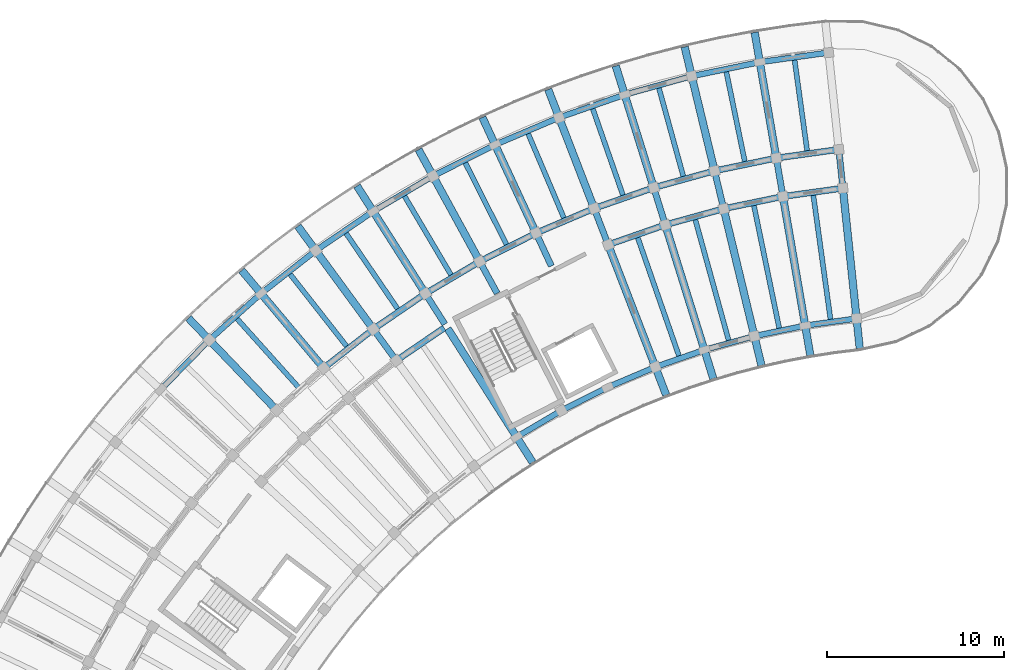
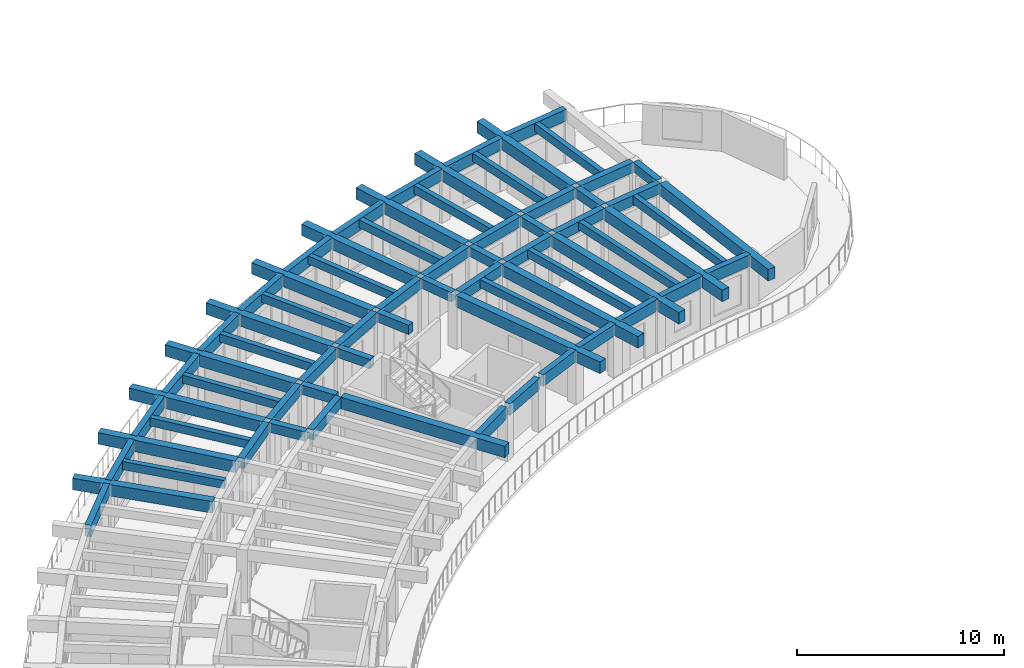
# One storey, part 10 of 69: 71 beams.
"""IFC4 building model written with IfcOpenShell, lengths in metres."""

from ifc_helpers import new_model, si_unit, direction, frame, origin, origin_2d, place, context, subcontext, project, spatial, rectangle, extrude, material, material_profile, profile_set, type_object, element, save


model = new_model("IFC4")

# Units and contexts
model_context = context("Model", 3, precision=1e-05, world=origin(), true_north=direction((0.0, 1.0)))
body_context = subcontext(model_context, "Body", "Model", "MODEL_VIEW")
ifc_project = project(units=[si_unit("LENGTHUNIT", "METRE"), si_unit("AREAUNIT", "SQUARE_METRE"), si_unit("VOLUMEUNIT", "CUBIC_METRE"), si_unit("PLANEANGLEUNIT", "RADIAN"), si_unit("MASSUNIT", "GRAM", prefix="KILO")], contexts=[model_context])

# Site, building, storey
site_placement = place(None, origin())
site = spatial("IfcSite", under=ifc_project, at=site_placement, CompositionType="ELEMENT")
building_placement = place(site_placement, origin())
building = spatial("IfcBuilding", under=site, at=building_placement, Name="Tanwirah Colonnade Gardens", CompositionType="ELEMENT")
storey_placement = place(building_placement, frame((0.0, 0.0, 15.56005859375)))
storey = spatial("IfcBuildingStorey", under=building, at=storey_placement, Name="L04", CompositionType="ELEMENT", Elevation=15.56005859375)

# Beams
ifc_material_1 = material(Name="Precast concrete C40/50", Category="concrete")
ifc_material_profile_1 = material_profile(ifc_material_1, rectangle(XDim=0.35009765625, YDim=0.550048828125, at=origin_2d()), Name="PC-BM 350x550")
ifc_profile_set_1 = profile_set([ifc_material_profile_1], Name="Precast concrete C40/50")
beam_type_1 = type_object("IfcBeamType", Name="BM-PC350A", PredefinedType="BEAM", material=ifc_profile_set_1)
for number, where, z_axis, x_axis, name in (
    (1, (59.564453125, 111.9150390625, 2.8349609375), (-0.104464057197, 0.994528662611, 0.0), (-0.994528662611, -0.104464057197, 0.0), "Block A L04 Corridor Tie Beam 0"),
    (2, (56.1689453125, 111.444580078125, 2.8349609375), (-0.169855285462, 0.985469016256, 0.0), (-0.985469016256, -0.169855285462, 0.0), "Block A L04 Corridor Tie Beam 1"),
    (3, (52.811767578125, 110.75146484375, 2.8349609375), (-0.234364199778, 0.972148868159, 0.0), (-0.972148868159, -0.234364199778, 0.0), "Block A L04 Corridor Tie Beam 2"),
):
    element("IfcBeam", number, at=place(storey_placement, frame(where, z_axis=z_axis, x_axis=x_axis)), inside=storey, type_object=beam_type_1, Name=name, PredefinedType="BEAM", context=body_context, shape_type="SweptSolid", body=[
        extrude(rectangle(XDim=0.35009765625, YDim=0.550048828125, at=origin_2d()), origin(), (0.0, 0.0, 1.0), 1.900146484375),
    ])
for number, where, z_axis, x_axis, name in (
    (4, (49.507568359375, 109.838623046875, 2.8349609375), (-0.297857918398, 0.954610213882, 0.0), (-0.954610213882, -0.297857918398, 0.0), "Block A L04 Corridor Tie Beam 3"),
    (5, (46.270751953125, 108.7099609375, 2.8349609375), (-0.360175656082, 0.932884503444, 0.0), (-0.932884503444, -0.360175656082, 0.0), "Block A L04 Corridor Tie Beam 4"),
    (6, (43.115234375, 107.37060546875, 2.8349609375), (-0.420858322681, 0.90712638162, 0.0), (-0.90712638162, -0.420858322681, 0.0), "Block A L04 Corridor Tie Beam 5"),
    (7, (40.054931640625, 105.826171875, 2.8349609375), (-0.479707235792, 0.877428611301, 0.0), (-0.877428611301, -0.479707235792, 0.0), "Block A L04 Corridor Tie Beam 6"),
    (8, (37.10302734375, 104.08349609375, 2.8349609375), (-0.536509579595, 0.843894229749, 0.0), (-0.843894229749, -0.536509579595, 0.0), "Block A L04 Corridor Tie Beam 7"),
):
    element("IfcBeam", number, at=place(storey_placement, frame(where, z_axis=z_axis, x_axis=x_axis)), inside=storey, type_object=beam_type_1, Name=name, PredefinedType="BEAM", context=body_context, shape_type="SweptSolid", body=[
        extrude(rectangle(XDim=0.35009765625, YDim=0.550048828125, at=origin_2d()), origin(), (0.0, 0.0, 1.0), 1.89990234375),
    ])
beam_1_placement = place(storey_placement, frame((34.272216796875, 102.14990234375, 2.8349609375), z_axis=(-0.590895676149, 0.806747977939, 0.0), x_axis=(-0.806747977939, -0.590895676149, 0.0)))
element("IfcBeam", 9, at=beam_1_placement, inside=storey, type_object=beam_type_1, Name="Block A L04 Corridor Tie Beam 8", PredefinedType="BEAM", context=body_context, shape_type="SweptSolid", body=[
    extrude(rectangle(XDim=0.35009765625, YDim=0.550048828125, at=origin_2d()), origin(), (0.0, 0.0, 1.0), 1.900146484375),
])
ifc_material_profile_2 = material_profile(ifc_material_1, rectangle(XDim=0.35009765625, YDim=0.60009765625, at=origin_2d()), Name="PC-BM 350x600")
ifc_profile_set_2 = profile_set([ifc_material_profile_2], Name="Precast concrete C40/50")
beam_type_2 = type_object("IfcBeamType", Name="BM-PC350B", PredefinedType="BEAM", material=ifc_profile_set_2)
beam_2_placement = place(storey_placement, frame((59.431640625, 111.745361328125, 2.81005859375), z_axis=(-0.990535787723, -0.137254702069, 0.0), x_axis=(0.137254702069, -0.990535787723, 0.0)))
element("IfcBeam", 10, at=beam_2_placement, inside=storey, type_object=beam_type_2, Name="Block A L04 Circumferential Beam 0-R1", PredefinedType="BEAM", context=body_context, shape_type="SweptSolid", body=[
    extrude(rectangle(XDim=0.35009765625, YDim=0.60009765625, at=origin_2d()), origin(), (0.0, 0.0, 1.0), 3.1181640625),
])
beam_3_placement = place(storey_placement, frame((59.20166015625, 113.933349609375, 2.81005859375), z_axis=(-0.990530465749, -0.13729310406, 0.0), x_axis=(0.13729310406, -0.990530465749, 0.0)))
element("IfcBeam", 11, at=beam_3_placement, inside=storey, type_object=beam_type_2, Name="Block A L04 Circumferential Beam 0-R2", PredefinedType="BEAM", context=body_context, shape_type="SweptSolid", body=[
    extrude(rectangle(XDim=0.35009765625, YDim=0.60009765625, at=origin_2d()), origin(), (0.0, 0.0, 1.0), 3.26318359375),
])
beam_4_placement = place(storey_placement, frame((56.047607421875, 111.2666015625, 2.81005859375), z_axis=(-0.979335880607, -0.202240532428, 0.0), x_axis=(0.202240532428, -0.979335880607, 0.0)))
element("IfcBeam", 12, at=beam_4_placement, inside=storey, type_object=beam_type_2, Name="Block A L04 Circumferential Beam 1-R1", PredefinedType="BEAM", context=body_context, shape_type="SweptSolid", body=[
    extrude(rectangle(XDim=0.35009765625, YDim=0.60009765625, at=origin_2d()), origin(), (0.0, 0.0, 1.0), 3.1181640625),
])
beam_5_placement = place(storey_placement, frame((55.673828125, 113.4345703125, 2.81005859375), z_axis=(-0.979335599813, -0.202241892146, 0.0), x_axis=(0.202241892146, -0.979335599813, 0.0)))
element("IfcBeam", 13, at=beam_5_placement, inside=storey, type_object=beam_type_2, Name="Block A L04 Circumferential Beam 1-R2", PredefinedType="BEAM", context=body_context, shape_type="SweptSolid", body=[
    extrude(rectangle(XDim=0.35009765625, YDim=0.60009765625, at=origin_2d()), origin(), (0.0, 0.0, 1.0), 3.262939453125),
])
beam_6_placement = place(storey_placement, frame((52.702392578125, 110.565673828125, 2.81005859375), z_axis=(-0.963894965188, -0.266282737114, 0.0), x_axis=(0.266282737114, -0.963894965188, 0.0)))
element("IfcBeam", 14, at=beam_6_placement, inside=storey, type_object=beam_type_2, Name="Block A L04 Circumferential Beam 2-R1", PredefinedType="BEAM", context=body_context, shape_type="SweptSolid", body=[
    extrude(rectangle(XDim=0.35009765625, YDim=0.60009765625, at=origin_2d()), origin(), (0.0, 0.0, 1.0), 3.1181640625),
])
beam_7_placement = place(storey_placement, frame((52.186767578125, 112.704345703125, 2.81005859375), z_axis=(-0.9638953302, -0.266281415833, 0.0), x_axis=(0.266281415833, -0.9638953302, 0.0)))
element("IfcBeam", 15, at=beam_7_placement, inside=storey, type_object=beam_type_2, Name="Block A L04 Circumferential Beam 2-R2", PredefinedType="BEAM", context=body_context, shape_type="SweptSolid", body=[
    extrude(rectangle(XDim=0.35009765625, YDim=0.60009765625, at=origin_2d()), origin(), (0.0, 0.0, 1.0), 3.26318359375),
])
beam_8_placement = place(storey_placement, frame((49.41064453125, 109.64599609375, 2.81005859375), z_axis=(-0.944248304077, -0.329234172358, 0.0), x_axis=(0.329234172358, -0.944248304077, 0.0)))
element("IfcBeam", 16, at=beam_8_placement, inside=storey, type_object=beam_type_2, Name="Block A L04 Circumferential Beam 3-R1", PredefinedType="BEAM", context=body_context, shape_type="SweptSolid", body=[
    extrude(rectangle(XDim=0.35009765625, YDim=0.60009765625, at=origin_2d()), origin(), (0.0, 0.0, 1.0), 3.1181640625),
])
for number, where, z_axis, x_axis, name in (
    (17, (48.755126953125, 111.74609375, 2.81005859375), (-0.944231021702, -0.329283734272, 0.0), (0.329283734272, -0.944231021702, 0.0), "Block A L04 Circumferential Beam 3-R2"),
    (18, (45.394287109375, 110.563720703125, 2.81005859375), (-0.920513294115, -0.390711242938, 0.0), (0.390711242938, -0.920513294115, 0.0), "Block A L04 Circumferential Beam 4-R2"),
):
    element("IfcBeam", number, at=place(storey_placement, frame(where, z_axis=z_axis, x_axis=x_axis)), inside=storey, type_object=beam_type_2, Name=name, PredefinedType="BEAM", context=body_context, shape_type="SweptSolid", body=[
        extrude(rectangle(XDim=0.35009765625, YDim=0.60009765625, at=origin_2d()), origin(), (0.0, 0.0, 1.0), 3.262939453125),
    ])
for number, where, z_axis, x_axis, name in (
    (19, (42.11865234375, 109.16259765625, 2.81005859375), (-0.89276014323, -0.450532270387, 0.0), (0.450532270387, -0.89276014323, 0.0), "Block A L04 Circumferential Beam 5-R2"),
    (20, (38.9423828125, 107.548583984375, 2.81005859375), (-0.861134978964, -0.508376384193, 0.0), (0.508376384193, -0.861134978964, 0.0), "Block A L04 Circumferential Beam 6-R2"),
):
    element("IfcBeam", number, at=place(storey_placement, frame(where, z_axis=z_axis, x_axis=x_axis)), inside=storey, type_object=beam_type_2, Name=name, PredefinedType="BEAM", context=body_context, shape_type="SweptSolid", body=[
        extrude(rectangle(XDim=0.35009765625, YDim=0.60009765625, at=origin_2d()), origin(), (0.0, 0.0, 1.0), 3.26318359375),
    ])
beam_9_placement = place(storey_placement, frame((37.0595703125, 103.872314453125, 2.81005859375), z_axis=(-0.825758291455, -0.564024152047, 0.0), x_axis=(0.564024152047, -0.825758291455, 0.0)))
element("IfcBeam", 21, at=beam_9_placement, inside=storey, type_object=beam_type_2, Name="Block A L04 Circumferential Beam 7-R1", PredefinedType="BEAM", context=body_context, shape_type="SweptSolid", body=[
    extrude(rectangle(XDim=0.35009765625, YDim=0.60009765625, at=origin_2d()), origin(), (0.0, 0.0, 1.0), 3.118408203125),
])
for number, where, z_axis, x_axis, name in (
    (22, (35.87939453125, 105.728759765625, 2.81005859375), (-0.825782284145, -0.563989024, 0.0), (0.563989024, -0.825782284145, 0.0), "Block A L04 Circumferential Beam 7-R2"),
    (23, (32.94287109375, 103.711181640625, 2.81005859375), (-0.786839882256, -0.617157192044, 0.0), (0.617157192044, -0.786839882256, 0.0), "Block A L04 Circumferential Beam 8-R2"),
):
    element("IfcBeam", number, at=place(storey_placement, frame(where, z_axis=z_axis, x_axis=x_axis)), inside=storey, type_object=beam_type_2, Name=name, PredefinedType="BEAM", context=body_context, shape_type="SweptSolid", body=[
        extrude(rectangle(XDim=0.35009765625, YDim=0.60009765625, at=origin_2d()), origin(), (0.0, 0.0, 1.0), 3.26318359375),
    ])
ifc_material_2 = material(Name="Precast concrete C45/55", Category="concrete")
ifc_material_profile_3 = material_profile(ifc_material_2, rectangle(XDim=0.419921875, YDim=0.679931640625, at=origin_2d()), Name="PC-BM 420x680")
ifc_profile_set_3 = profile_set([ifc_material_profile_3], Name="Precast concrete C45/55")
beam_type_3 = type_object("IfcBeamType", Name="BM-PC420", PredefinedType="BEAM", material=ifc_profile_set_3)
for number, where, z_axis, x_axis, name in (
    (24, (59.595947265625, 111.61669921875, 2.77001953125), (0.104531425475, -0.994521584023, 0.0), (0.994521584023, 0.104531425475, 0.0), "Block A L04 Inner Radial Precast Girder 0"),
    (25, (56.219970703125, 111.14892578125, 2.77001953125), (0.169837490725, -0.985472083189, 0.0), (0.985472083189, 0.169837490725, 0.0), "Block A L04 Inner Radial Precast Girder 1"),
):
    element("IfcBeam", number, at=place(storey_placement, frame(where, z_axis=z_axis, x_axis=x_axis)), inside=storey, type_object=beam_type_3, Name=name, PredefinedType="BEAM", context=body_context, shape_type="SweptSolid", body=[
        extrude(rectangle(XDim=0.419921875, YDim=0.679931640625, at=origin_2d()), origin(), (0.0, 0.0, 1.0), 8.949951171875),
    ])
beam_10_placement = place(storey_placement, frame((55.79541015625, 113.61279296875, 2.77001953125), z_axis=(-0.169826898404, 0.985473908624, 0.0), x_axis=(-0.985473908624, -0.169826898404, 0.0)))
element("IfcBeam", 26, at=beam_10_placement, inside=storey, type_object=beam_type_3, Name="Block A L04 Outer Radial Precast Girder 1", PredefinedType="BEAM", context=body_context, shape_type="SweptSolid", body=[
    extrude(rectangle(XDim=0.419921875, YDim=0.679931640625, at=origin_2d()), origin(), (0.0, 0.0, 1.0), 7.0498046875),
])
beam_11_placement = place(storey_placement, frame((52.882080078125, 110.459716796875, 2.77001953125), z_axis=(0.234401428133, -0.972139892448, 0.0), x_axis=(0.972139892448, 0.234401428133, 0.0)))
element("IfcBeam", 27, at=beam_11_placement, inside=storey, type_object=beam_type_3, Name="Block A L04 Inner Radial Precast Girder 2", PredefinedType="BEAM", context=body_context, shape_type="SweptSolid", body=[
    extrude(rectangle(XDim=0.419921875, YDim=0.679931640625, at=origin_2d()), origin(), (0.0, 0.0, 1.0), 8.949951171875),
])
beam_12_placement = place(storey_placement, frame((52.296142578125, 112.89013671875, 2.77001953125), z_axis=(-0.234378734126, 0.972145364125, 0.0), x_axis=(-0.972145364125, -0.234378734126, 0.0)))
element("IfcBeam", 28, at=beam_12_placement, inside=storey, type_object=beam_type_3, Name="Block A L04 Outer Radial Precast Girder 2", PredefinedType="BEAM", context=body_context, shape_type="SweptSolid", body=[
    extrude(rectangle(XDim=0.419921875, YDim=0.679931640625, at=origin_2d()), origin(), (0.0, 0.0, 1.0), 7.0498046875),
])
beam_13_placement = place(storey_placement, frame((49.596923828125, 109.55224609375, 2.77001953125), z_axis=(0.29792861283, -0.9545881529, 0.0), x_axis=(0.9545881529, 0.29792861283, 0.0)))
element("IfcBeam", 29, at=beam_13_placement, inside=storey, type_object=beam_type_3, Name="Block A L04 Inner Radial Precast Girder 3", PredefinedType="BEAM", context=body_context, shape_type="SweptSolid", body=[
    extrude(rectangle(XDim=0.419921875, YDim=0.679931640625, at=origin_2d()), origin(), (0.0, 0.0, 1.0), 8.9501953125),
])
beam_14_placement = place(storey_placement, frame((48.852294921875, 111.938720703125, 2.77001953125), z_axis=(-0.297957513373, 0.954579132511, 0.0), x_axis=(-0.954579132511, -0.297957513373, 0.0)))
element("IfcBeam", 30, at=beam_14_placement, inside=storey, type_object=beam_type_3, Name="Block A L04 Outer Radial Precast Girder 3", PredefinedType="BEAM", context=body_context, shape_type="SweptSolid", body=[
    extrude(rectangle(XDim=0.419921875, YDim=0.679931640625, at=origin_2d()), origin(), (0.0, 0.0, 1.0), 7.050048828125),
])
beam_15_placement = place(storey_placement, frame((46.37890625, 108.43017578125, 2.77001953125), z_axis=(0.360155980892, -0.932892099563, 0.0), x_axis=(0.932892099563, 0.360155980892, 0.0)))
element("IfcBeam", 31, at=beam_15_placement, inside=storey, type_object=beam_type_3, Name="Block A L04 Inner Radial Precast Girder 4", PredefinedType="BEAM", context=body_context, shape_type="SweptSolid", body=[
    extrude(rectangle(XDim=0.419921875, YDim=0.679931640625, at=origin_2d()), origin(), (0.0, 0.0, 1.0), 8.949951171875),
])
for number, where, z_axis, x_axis, name in (
    (32, (45.478271484375, 110.76220703125, 2.77001953125), (-0.360150678391, 0.932894146651, 0.0), (-0.932894146651, -0.360150678391, 0.0), "Block A L04 Outer Radial Precast Girder 4"),
    (33, (42.189453125, 109.3662109375, 2.77001953125), (-0.420855908645, 0.9071275016, 0.0), (-0.9071275016, -0.420855908645, 0.0), "Block A L04 Outer Radial Precast Girder 5"),
    (34, (38.99951171875, 107.75634765625, 2.77001953125), (-0.479686549155, 0.877439920769, 0.0), (-0.877439920769, -0.479686549155, 0.0), "Block A L04 Outer Radial Precast Girder 6"),
):
    element("IfcBeam", number, at=place(storey_placement, frame(where, z_axis=z_axis, x_axis=x_axis)), inside=storey, type_object=beam_type_3, Name=name, PredefinedType="BEAM", context=body_context, shape_type="SweptSolid", body=[
        extrude(rectangle(XDim=0.419921875, YDim=0.679931640625, at=origin_2d()), origin(), (0.0, 0.0, 1.0), 7.050048828125),
    ])
beam_16_placement = place(storey_placement, frame((37.263916015625, 103.830322265625, 2.77001953125), z_axis=(0.536483588607, -0.843910753075, 0.0), x_axis=(0.843910753075, 0.536483588607, 0.0)))
element("IfcBeam", 35, at=beam_16_placement, inside=storey, type_object=beam_type_3, Name="Block A L04 Inner Radial Precast Girder 7", PredefinedType="BEAM", context=body_context, shape_type="SweptSolid", body=[
    extrude(rectangle(XDim=0.419921875, YDim=0.679931640625, at=origin_2d()), origin(), (0.0, 0.0, 1.0), 8.949951171875),
])
for number, where, z_axis, x_axis, name in (
    (36, (35.922607421875, 105.93994140625, 2.77001953125), (-0.536476584537, 0.8439152056, 0.0), (-0.8439152056, -0.536476584537, 0.0), "Block A L04 Outer Radial Precast Girder 7"),
    (37, (32.97216796875, 103.9248046875, 2.77001953125), (-0.590919194225, 0.806730751798, 0.0), (-0.806730751798, -0.590919194225, 0.0), "Block A L04 Outer Radial Precast Girder 8"),
):
    element("IfcBeam", number, at=place(storey_placement, frame(where, z_axis=z_axis, x_axis=x_axis)), inside=storey, type_object=beam_type_3, Name=name, PredefinedType="BEAM", context=body_context, shape_type="SweptSolid", body=[
        extrude(rectangle(XDim=0.419921875, YDim=0.679931640625, at=origin_2d()), origin(), (0.0, 0.0, 1.0), 7.050048828125),
    ])
beam_17_placement = place(storey_placement, frame((30.160888671875, 101.7197265625, 2.77001953125), z_axis=(-0.642810291951, 0.766025409867, 0.0), x_axis=(-0.766025409867, -0.642810291951, 0.0)))
element("IfcBeam", 38, at=beam_17_placement, inside=storey, type_object=beam_type_3, Name="Block A L04 Outer Radial Precast Girder 9", PredefinedType="BEAM", context=body_context, shape_type="SweptSolid", body=[
    extrude(rectangle(XDim=0.419921875, YDim=0.679931640625, at=origin_2d()), origin(), (0.0, 0.0, 1.0), 7.0498046875),
])
beam_18_placement = place(storey_placement, frame((27.5009765625, 99.333984375, 2.77001953125), z_axis=(-0.691864746793, 0.722027127015, 0.0), x_axis=(-0.722027127015, -0.691864746793, 0.0)))
element("IfcBeam", 39, at=beam_18_placement, inside=storey, type_object=beam_type_3, Name="Block A L04 Outer Radial Precast Girder 10", PredefinedType="BEAM", context=body_context, shape_type="SweptSolid", body=[
    extrude(rectangle(XDim=0.419921875, YDim=0.679931640625, at=origin_2d()), origin(), (0.0, 0.0, 1.0), 7.050048828125),
])
ifc_material_profile_4 = material_profile(ifc_material_1, rectangle(XDim=0.280029296875, YDim=0.47998046875, at=origin_2d()), Name="PC-JST 280x480")
ifc_profile_set_4 = profile_set([ifc_material_profile_4], Name="Precast concrete C40/50")
beam_type_4 = type_object("IfcBeamType", Name="JST-PC280", PredefinedType="JOIST", material=ifc_profile_set_4)
beam_19_placement = place(storey_placement, frame((57.56494140625, 113.857421875, 2.869873046875), z_axis=(-0.137248344923, 0.990536668587, 0.0), x_axis=(-0.990536668587, -0.137248344923, 0.0)))
element("IfcBeam", 40, at=beam_19_placement, inside=storey, type_object=beam_type_4, Name="Block A L04 Precast Floor Joist 0", PredefinedType="JOIST", context=body_context, shape_type="SweptSolid", body=[
    extrude(rectangle(XDim=0.280029296875, YDim=0.47998046875, at=origin_2d()), origin(), (0.0, 0.0, 1.0), 5.260009765625),
])
beam_20_placement = place(storey_placement, frame((58.882568359375, 104.34814453125, 2.869873046875), z_axis=(-0.137243132462, 0.99053739081, 0.0), x_axis=(-0.99053739081, -0.137243132462, 0.0)))
element("IfcBeam", 41, at=beam_20_placement, inside=storey, type_object=beam_type_4, Name="Block A L04 Inner Precast Floor Joist 0", PredefinedType="JOIST", context=body_context, shape_type="SweptSolid", body=[
    extrude(rectangle(XDim=0.280029296875, YDim=0.47998046875, at=origin_2d()), origin(), (0.0, 0.0, 1.0), 7.16015625),
])
beam_21_placement = place(storey_placement, frame((54.0458984375, 113.2509765625, 2.869873046875), z_axis=(-0.202235688429, 0.979336880918, 0.0), x_axis=(-0.979336880918, -0.202235688429, 0.0)))
element("IfcBeam", 42, at=beam_21_placement, inside=storey, type_object=beam_type_4, Name="Block A L04 Precast Floor Joist 1", PredefinedType="JOIST", context=body_context, shape_type="SweptSolid", body=[
    extrude(rectangle(XDim=0.280029296875, YDim=0.47998046875, at=origin_2d()), origin(), (0.0, 0.0, 1.0), 5.259765625),
])
beam_22_placement = place(storey_placement, frame((55.987060546875, 103.84912109375, 2.869873046875), z_axis=(-0.202197428816, 0.979344780851, 0.0), x_axis=(-0.979344780851, -0.202197428816, 0.0)))
element("IfcBeam", 43, at=beam_22_placement, inside=storey, type_object=beam_type_4, Name="Block A L04 Inner Precast Floor Joist 1", PredefinedType="JOIST", context=body_context, shape_type="SweptSolid", body=[
    extrude(rectangle(XDim=0.280029296875, YDim=0.47998046875, at=origin_2d()), origin(), (0.0, 0.0, 1.0), 7.16015625),
])
beam_23_placement = place(storey_placement, frame((50.57421875, 112.413818359375, 2.869873046875), z_axis=(-0.266281476085, 0.963895313555, 0.0), x_axis=(-0.963895313555, -0.266281476085, 0.0)))
element("IfcBeam", 44, at=beam_23_placement, inside=storey, type_object=beam_type_4, Name="Block A L04 Precast Floor Joist 2", PredefinedType="JOIST", context=body_context, shape_type="SweptSolid", body=[
    extrude(rectangle(XDim=0.280029296875, YDim=0.47998046875, at=origin_2d()), origin(), (0.0, 0.0, 1.0), 5.260009765625),
])
beam_24_placement = place(storey_placement, frame((53.130859375, 103.16064453125, 2.869873046875), z_axis=(-0.266307034535, 0.963888252526, 0.0), x_axis=(-0.963888252526, -0.266307034535, 0.0)))
element("IfcBeam", 45, at=beam_24_placement, inside=storey, type_object=beam_type_4, Name="Block A L04 Inner Precast Floor Joist 2", PredefinedType="JOIST", context=body_context, shape_type="SweptSolid", body=[
    extrude(rectangle(XDim=0.280029296875, YDim=0.47998046875, at=origin_2d()), origin(), (0.0, 0.0, 1.0), 7.159912109375),
])
beam_25_placement = place(storey_placement, frame((47.16552734375, 111.349853515625, 2.869873046875), z_axis=(-0.3292586038, 0.944239785131, 0.0), x_axis=(-0.944239785131, -0.3292586038, 0.0)))
element("IfcBeam", 46, at=beam_25_placement, inside=storey, type_object=beam_type_4, Name="Block A L04 Precast Floor Joist 3", PredefinedType="JOIST", context=body_context, shape_type="SweptSolid", body=[
    extrude(rectangle(XDim=0.280029296875, YDim=0.47998046875, at=origin_2d()), origin(), (0.0, 0.0, 1.0), 5.260009765625),
])
beam_26_placement = place(storey_placement, frame((50.326171875, 102.28515625, 2.869873046875), z_axis=(-0.329250558112, 0.944242590642, 0.0), x_axis=(-0.944242590642, -0.329250558112, 0.0)))
element("IfcBeam", 47, at=beam_26_placement, inside=storey, type_object=beam_type_4, Name="Block A L04 Inner Precast Floor Joist 3", PredefinedType="JOIST", context=body_context, shape_type="SweptSolid", body=[
    extrude(rectangle(XDim=0.280029296875, YDim=0.47998046875, at=origin_2d()), origin(), (0.0, 0.0, 1.0), 7.159912109375),
])
beam_27_placement = place(storey_placement, frame((43.833984375, 110.063720703125, 2.869873046875), z_axis=(-0.390723870106, 0.92050793442, 0.0), x_axis=(-0.92050793442, -0.390723870106, 0.0)))
element("IfcBeam", 48, at=beam_27_placement, inside=storey, type_object=beam_type_4, Name="Block A L04 Precast Floor Joist 4", PredefinedType="JOIST", context=body_context, shape_type="SweptSolid", body=[
    extrude(rectangle(XDim=0.280029296875, YDim=0.47998046875, at=origin_2d()), origin(), (0.0, 0.0, 1.0), 5.260009765625),
])
for number, where, z_axis, x_axis, name in (
    (49, (40.5947265625, 108.560791015625, 2.869873046875), (-0.450533699488, 0.892759422031, 0.0), (-0.892759422031, -0.450533699488, 0.0), "Block A L04 Precast Floor Joist 5"),
    (50, (37.46142578125, 106.84765625, 2.869873046875), (-0.508360236823, 0.86114451146, 0.0), (-0.86114451146, -0.508360236823, 0.0), "Block A L04 Precast Floor Joist 6"),
):
    element("IfcBeam", number, at=place(storey_placement, frame(where, z_axis=z_axis, x_axis=x_axis)), inside=storey, type_object=beam_type_4, Name=name, PredefinedType="JOIST", context=body_context, shape_type="SweptSolid", body=[
        extrude(rectangle(XDim=0.280029296875, YDim=0.47998046875, at=origin_2d()), origin(), (0.0, 0.0, 1.0), 5.26025390625),
    ])
for number, where, z_axis, x_axis, name in (
    (51, (34.44775390625, 104.931884765625, 2.869873046875), (-0.563973225998, 0.825793073571, 0.0), (-0.825793073571, -0.563973225998, 0.0), "Block A L04 Precast Floor Joist 7"),
    (52, (31.56689453125, 102.82177734375, 2.869873046875), (-0.617177687243, 0.786823806433, 0.0), (-0.786823806433, -0.617177687243, 0.0), "Block A L04 Precast Floor Joist 8"),
    (53, (28.831298828125, 100.5263671875, 2.869873046875), (-0.667678987176, 0.744449306591, 0.0), (-0.744449306591, -0.667678987176, 0.0), "Block A L04 Precast Floor Joist 9"),
):
    element("IfcBeam", number, at=place(storey_placement, frame(where, z_axis=z_axis, x_axis=x_axis)), inside=storey, type_object=beam_type_4, Name=name, PredefinedType="JOIST", context=body_context, shape_type="SweptSolid", body=[
        extrude(rectangle(XDim=0.280029296875, YDim=0.47998046875, at=origin_2d()), origin(), (0.0, 0.0, 1.0), 5.260009765625),
    ])
ifc_material_profile_5 = material_profile(ifc_material_2, rectangle(XDim=0.320068359375, YDim=0.679931640625, at=origin_2d()), Name="PC-SP 320x680")
ifc_profile_set_5 = profile_set([ifc_material_profile_5], Name="Precast concrete C45/55")
beam_type_5 = type_object("IfcBeamType", Name="SP-PC320", PredefinedType="SPANDREL", material=ifc_profile_set_5)
beam_28_placement = place(storey_placement, frame((60.205078125, 104.385986328125, 2.77001953125), z_axis=(-0.990531232354, -0.13728757311, 0.0), x_axis=(0.13728757311, -0.990531232354, 0.0)))
element("IfcBeam", 54, at=beam_28_placement, inside=storey, type_object=beam_type_5, Name="Block A L04 Circumferential Beam 0-R0", PredefinedType="SPANDREL", context=body_context, shape_type="SweptSolid", body=[
    extrude(rectangle(XDim=0.320068359375, YDim=0.679931640625, at=origin_2d()), origin(), (0.0, 0.0, 1.0), 2.630126953125),
])
beam_29_placement = place(storey_placement, frame((58.626708984375, 119.403076171875, 2.77001953125), z_axis=(-0.990538603978, -0.137234376268, 0.0), x_axis=(0.137234376268, -0.990538603978, 0.0)))
element("IfcBeam", 55, at=beam_29_placement, inside=storey, type_object=beam_type_5, Name="Block A L04 Circumferential Beam 0-R3", PredefinedType="SPANDREL", context=body_context, shape_type="SweptSolid", body=[
    extrude(rectangle(XDim=0.320068359375, YDim=0.679931640625, at=origin_2d()), origin(), (0.0, 0.0, 1.0), 3.625732421875),
])
beam_30_placement = place(storey_placement, frame((57.30419921875, 103.973876953125, 2.77001953125), z_axis=(-0.979351764611, -0.202163599974, 0.0), x_axis=(0.202163599974, -0.979351764611, 0.0)))
element("IfcBeam", 56, at=beam_30_placement, inside=storey, type_object=beam_type_5, Name="Block A L04 Circumferential Beam 1-R0", PredefinedType="SPANDREL", context=body_context, shape_type="SweptSolid", body=[
    extrude(rectangle(XDim=0.320068359375, YDim=0.679931640625, at=origin_2d()), origin(), (0.0, 0.0, 1.0), 2.630126953125),
])
beam_31_placement = place(storey_placement, frame((54.739990234375, 118.854736328125, 2.77001953125), z_axis=(-0.979328544205, -0.202276055197, 0.0), x_axis=(0.202276055197, -0.979328544205, 0.0)))
element("IfcBeam", 57, at=beam_31_placement, inside=storey, type_object=beam_type_5, Name="Block A L04 Circumferential Beam 1-R3", PredefinedType="SPANDREL", context=body_context, shape_type="SweptSolid", body=[
    extrude(rectangle(XDim=0.320068359375, YDim=0.679931640625, at=origin_2d()), origin(), (0.0, 0.0, 1.0), 3.625732421875),
])
beam_32_placement = place(storey_placement, frame((54.436767578125, 103.371826171875, 2.77001953125), z_axis=(-0.96388669146, -0.266312684688, 0.0), x_axis=(0.266312684688, -0.96388669146, 0.0)))
element("IfcBeam", 58, at=beam_32_placement, inside=storey, type_object=beam_type_5, Name="Block A L04 Circumferential Beam 2-R0", PredefinedType="SPANDREL", context=body_context, shape_type="SweptSolid", body=[
    extrude(rectangle(XDim=0.320068359375, YDim=0.679931640625, at=origin_2d()), origin(), (0.0, 0.0, 1.0), 2.630126953125),
])
beam_33_placement = place(storey_placement, frame((50.897705078125, 118.05126953125, 2.77001953125), z_axis=(-0.963888380927, -0.266306569792, 0.0), x_axis=(0.266306569792, -0.963888380927, 0.0)))
element("IfcBeam", 59, at=beam_33_placement, inside=storey, type_object=beam_type_5, Name="Block A L04 Circumferential Beam 2-R3", PredefinedType="SPANDREL", context=body_context, shape_type="SweptSolid", body=[
    extrude(rectangle(XDim=0.320068359375, YDim=0.679931640625, at=origin_2d()), origin(), (0.0, 0.0, 1.0), 3.625732421875),
])
beam_34_placement = place(storey_placement, frame((51.615478515625, 102.58203125, 2.77001953125), z_axis=(-0.944249847334, -0.32922974624, 0.0), x_axis=(0.32922974624, -0.944249847334, 0.0)))
element("IfcBeam", 60, at=beam_34_placement, inside=storey, type_object=beam_type_5, Name="Block A L04 Circumferential Beam 3-R0", PredefinedType="SPANDREL", context=body_context, shape_type="SweptSolid", body=[
    extrude(rectangle(XDim=0.320068359375, YDim=0.679931640625, at=origin_2d()), origin(), (0.0, 0.0, 1.0), 2.63037109375),
])
beam_35_placement = place(storey_placement, frame((47.11669921875, 116.996337890625, 2.77001953125), z_axis=(-0.944236700093, -0.329267450863, 0.0), x_axis=(0.329267450863, -0.944236700093, 0.0)))
element("IfcBeam", 61, at=beam_35_placement, inside=storey, type_object=beam_type_5, Name="Block A L04 Circumferential Beam 3-R3", PredefinedType="SPANDREL", context=body_context, shape_type="SweptSolid", body=[
    extrude(rectangle(XDim=0.320068359375, YDim=0.679931640625, at=origin_2d()), origin(), (0.0, 0.0, 1.0), 3.625732421875),
])
beam_36_placement = place(storey_placement, frame((48.85205078125, 101.608154296875, 2.77001953125), z_axis=(-0.920488719784, -0.390769134848, 0.0), x_axis=(0.390769134848, -0.920488719784, 0.0)))
element("IfcBeam", 62, at=beam_36_placement, inside=storey, type_object=beam_type_5, Name="Block A L04 Circumferential Beam 4-R0", PredefinedType="SPANDREL", context=body_context, shape_type="SweptSolid", body=[
    extrude(rectangle(XDim=0.320068359375, YDim=0.679931640625, at=origin_2d()), origin(), (0.0, 0.0, 1.0), 2.63037109375),
])
beam_37_placement = place(storey_placement, frame((43.413330078125, 115.694580078125, 2.77001953125), z_axis=(-0.920494456807, -0.390755620545, 0.0), x_axis=(0.390755620545, -0.920494456807, 0.0)))
element("IfcBeam", 63, at=beam_37_placement, inside=storey, type_object=beam_type_5, Name="Block A L04 Circumferential Beam 4-R3", PredefinedType="SPANDREL", context=body_context, shape_type="SweptSolid", body=[
    extrude(rectangle(XDim=0.320068359375, YDim=0.679931640625, at=origin_2d()), origin(), (0.0, 0.0, 1.0), 3.625732421875),
])
beam_38_placement = place(storey_placement, frame((46.158935546875, 100.4541015625, 2.77001953125), z_axis=(-0.892769015158, -0.450514689632, 0.0), x_axis=(0.450514689632, -0.892769015158, 0.0)))
element("IfcBeam", 64, at=beam_38_placement, inside=storey, type_object=beam_type_5, Name="Block A L04 Circumferential Beam 5-R0", PredefinedType="SPANDREL", context=body_context, shape_type="SweptSolid", body=[
    extrude(rectangle(XDim=0.320068359375, YDim=0.679931640625, at=origin_2d()), origin(), (0.0, 0.0, 1.0), 2.63037109375),
])
beam_39_placement = place(storey_placement, frame((39.803955078125, 114.15185546875, 2.77001953125), z_axis=(-0.892764670911, -0.450523298368, 0.0), x_axis=(0.450523298368, -0.892764670911, 0.0)))
element("IfcBeam", 65, at=beam_39_placement, inside=storey, type_object=beam_type_5, Name="Block A L04 Circumferential Beam 5-R3", PredefinedType="SPANDREL", context=body_context, shape_type="SweptSolid", body=[
    extrude(rectangle(XDim=0.320068359375, YDim=0.679931640625, at=origin_2d()), origin(), (0.0, 0.0, 1.0), 3.6259765625),
])
beam_40_placement = place(storey_placement, frame((43.547607421875, 99.125244140625, 2.77001953125), z_axis=(-0.861148181788, -0.508354019363, 0.0), x_axis=(0.508354019363, -0.861148181788, 0.0)))
element("IfcBeam", 66, at=beam_40_placement, inside=storey, type_object=beam_type_5, Name="Block A L04 Circumferential Beam 6-R0", PredefinedType="SPANDREL", context=body_context, shape_type="SweptSolid", body=[
    extrude(rectangle(XDim=0.320068359375, YDim=0.679931640625, at=origin_2d()), origin(), (0.0, 0.0, 1.0), 2.63037109375),
])
for number, where, z_axis, x_axis, name in (
    (67, (36.303955078125, 112.37451171875, 2.77001953125), (-0.861136912545, -0.5083731089, 0.0), (0.5083731089, -0.861136912545, 0.0), "Block A L04 Circumferential Beam 6-R3"),
    (68, (32.9287109375, 110.370361328125, 2.77001953125), (-0.825782625102, -0.563988524776, 0.0), (0.563988524776, -0.825782625102, 0.0), "Block A L04 Circumferential Beam 7-R3"),
):
    element("IfcBeam", number, at=place(storey_placement, frame(where, z_axis=z_axis, x_axis=x_axis)), inside=storey, type_object=beam_type_5, Name=name, PredefinedType="SPANDREL", context=body_context, shape_type="SweptSolid", body=[
        extrude(rectangle(XDim=0.320068359375, YDim=0.679931640625, at=origin_2d()), origin(), (0.0, 0.0, 1.0), 3.625732421875),
    ])
beam_41_placement = place(storey_placement, frame((29.69287109375, 108.148193359375, 2.77001953125), z_axis=(-0.786843799845, -0.617152197311, 0.0), x_axis=(0.617152197311, -0.786843799845, 0.0)))
element("IfcBeam", 69, at=beam_41_placement, inside=storey, type_object=beam_type_5, Name="Block A L04 Circumferential Beam 8-R3", PredefinedType="SPANDREL", context=body_context, shape_type="SweptSolid", body=[
    extrude(rectangle(XDim=0.320068359375, YDim=0.679931640625, at=origin_2d()), origin(), (0.0, 0.0, 1.0), 3.62548828125),
])
beam_42_placement = place(storey_placement, frame((26.6103515625, 105.7177734375, 2.77001953125), z_axis=(-0.744444790955, -0.667684021989, 0.0), x_axis=(0.667684021989, -0.744444790955, 0.0)))
element("IfcBeam", 70, at=beam_42_placement, inside=storey, type_object=beam_type_5, Name="Block A L04 Circumferential Beam 9-R3", PredefinedType="SPANDREL", context=body_context, shape_type="SweptSolid", body=[
    extrude(rectangle(XDim=0.320068359375, YDim=0.679931640625, at=origin_2d()), origin(), (0.0, 0.0, 1.0), 3.625732421875),
])
beam_43_placement = place(storey_placement, frame((23.69482421875, 103.089599609375, 2.77001953125), z_axis=(-0.698844493997, -0.715273635199, 0.0), x_axis=(0.715273635199, -0.698844493997, 0.0)))
element("IfcBeam", 71, at=beam_43_placement, inside=storey, type_object=beam_type_5, Name="Block A L04 Circumferential Beam 10-R3", PredefinedType="SPANDREL", context=body_context, shape_type="SweptSolid", body=[
    extrude(rectangle(XDim=0.320068359375, YDim=0.679931640625, at=origin_2d()), origin(), (0.0, 0.0, 1.0), 3.6259765625),
])

save(model, "model.ifc")
